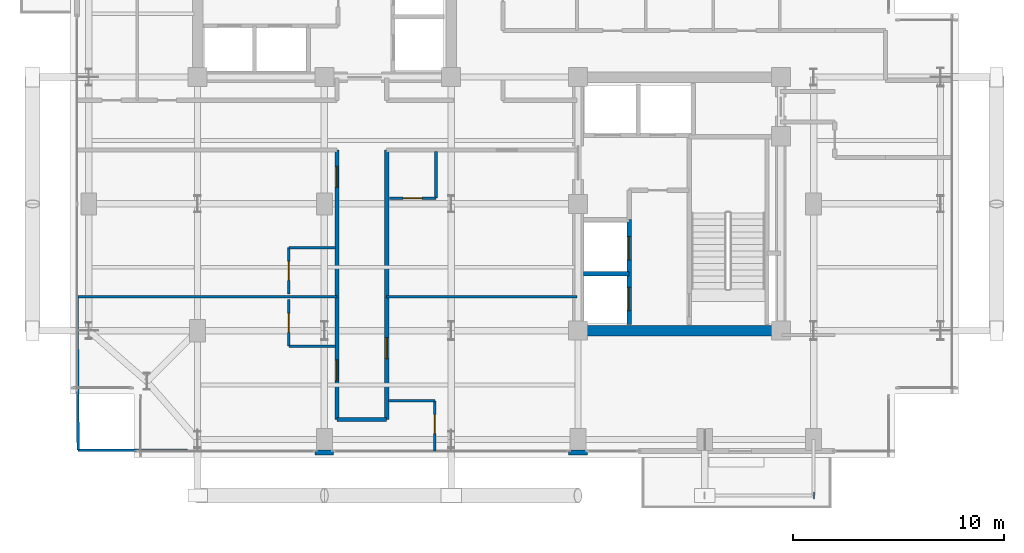
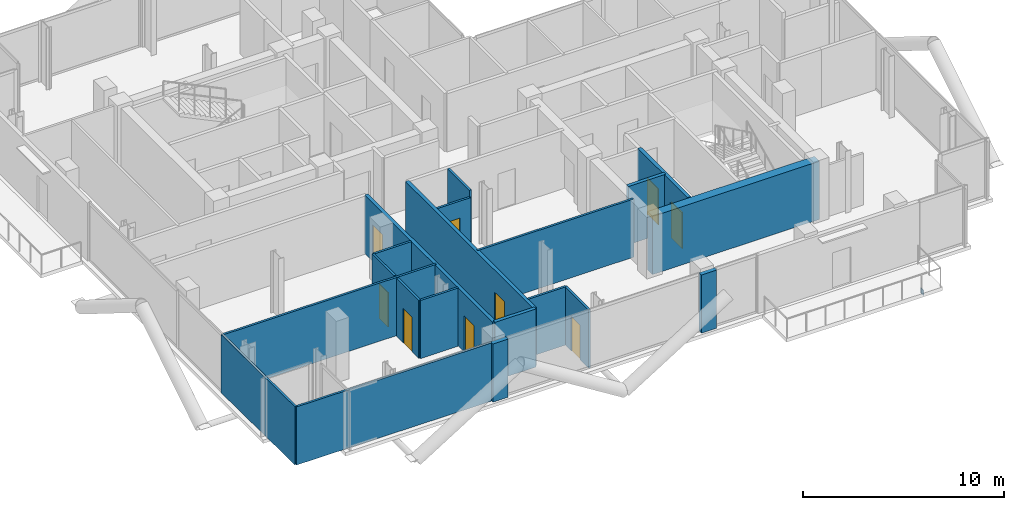
# One storey, part 19 of 25: 20 walls, 9 doors, 1 plate, 9 openings.
"""IFC4 building model written with IfcOpenShell, lengths in metres."""

from ifc_helpers import new_model, si_unit, direction, frame, frame_2d, origin, origin_2d, place, context, subcontext, project, spatial, rectangle, extrude, material, layer, layer_set, type_object, element, fill, save


model = new_model("IFC4")

# Units and contexts
model_context = context("Model", 3, precision=1e-05, world=origin(), true_north=direction((0.0, 1.0)))
body_context = subcontext(model_context, "Body", "Model", "MODEL_VIEW")
ifc_project = project(units=[si_unit("LENGTHUNIT", "METRE"), si_unit("AREAUNIT", "SQUARE_METRE"), si_unit("VOLUMEUNIT", "CUBIC_METRE"), si_unit("PLANEANGLEUNIT", "RADIAN"), si_unit("MASSUNIT", "GRAM", prefix="KILO"), si_unit("THERMODYNAMICTEMPERATUREUNIT", "KELVIN"), si_unit("POWERUNIT", "WATT")], contexts=[model_context])

# Site, building, storey
site_placement = place(None, origin())
site = spatial("IfcSite", under=ifc_project, at=site_placement, CompositionType="ELEMENT")
building_placement = place(site_placement, origin())
building = spatial("IfcBuilding", under=site, at=building_placement, Name="Svarakhadi Broadcast Tower", CompositionType="ELEMENT")
storey_placement = place(building_placement, frame((0.0, 0.0, 212.39990234375)))
storey = spatial("IfcBuildingStorey", under=building, at=storey_placement, Name="L52", CompositionType="ELEMENT", Elevation=212.39990234375)

# Plate
ifc_material_1 = material(Name="Steel S460ML (IS 2062 E450BR)", Category="steel")
ifc_layer_1 = layer(ifc_material_1, 0.028076171875)
ifc_layer_set_1 = layer_set([ifc_layer_1], Name="Steel S460ML (IS 2062 E450BR)")
plate_type = type_object("IfcPlateType", Name="Cap_Plate_CP02", PredefinedType="USERDEFINED", material=ifc_layer_set_1)
plate_placement = place(storey_placement, frame((35.1650390625, -1.800048828125, -0.5048828125), z_axis=(0.0, 0.0, 1.0), x_axis=(1.0, 0.0, 0.0)))
element("IfcPlate", 1, at=plate_placement, inside=storey, type_object=plate_type, Name="L52 Balcony Spandrel End Cap Plate 1F-B", ObjectType="FLANGE_PLATE", PredefinedType="USERDEFINED", context=body_context, shape_type="SweptSolid", body=[
    extrude(rectangle(XDim=0.0400390625, YDim=0.300048828125, at=origin_2d()), origin(), (0.0, 0.0, 1.0), 0.31005859375),
])

# Wall, opening, door
ifc_material_2 = material(Name="Double-Stud Acoustic Studio Partition STC-62", Category="gypsum")
ifc_layer_2 = layer(ifc_material_2, 0.199951171875)
ifc_layer_set_2 = layer_set([ifc_layer_2], Name="Double-Stud Acoustic Studio Partition STC-62")
wall_type_1 = type_object("IfcWallType", Name="Wall_Acoust_200", PredefinedType="PARTITIONING", material=ifc_layer_set_2)
wall_1_placement = place(storey_placement, frame((14.949951171875, 14.550048828125, 0.0), z_axis=(0.0, 0.0, 1.0), x_axis=(0.0, -1.0, 0.0)))
wall_1 = element("IfcWall", 2, at=wall_1_placement, inside=storey, type_object=wall_type_1, Name="L52 Upper Tower Concourse Wall", PredefinedType="PARTITIONING", context=body_context, shape_type="SweptSolid", body=[
    extrude(rectangle(XDim=12.75, YDim=0.199951171875, at=frame_2d((6.375, 0.0))), origin(), (0.0, 0.0, 1.0), 3.5400390625),
])
opening_1_placement = place(wall_1_placement, frame((8.875, 0.0, 0.0)))
opening_1 = element("IfcOpeningElement", 3, at=opening_1_placement, cuts=wall_1, Name="Opening D-09", PredefinedType="OPENING", context=body_context, shape_type="SweptSolid", body=[
    extrude(rectangle(XDim=1.0, YDim=2.199951171875, at=frame_2d((0.5, 1.10009765625))), frame((0.0, 0.10986328125, 0.0), z_axis=(0.0, -1.0, 0.0), x_axis=(1.0, 0.0, 0.0)), (0.0, 0.0, 1.0), 0.219970703125),
])
ifc_material_3 = material(Name="Solid-Core Teak Veneer Acoustic Timber Leaf", Category="wood")
door_type_1 = type_object("IfcDoorType", Name="Door_Suite_D09", OperationType="SINGLE_SWING_RIGHT", PredefinedType="DOOR", material=ifc_material_3)
door_1_placement = place(opening_1_placement, origin())
door_1 = element("IfcDoor", 4, at=door_1_placement, inside=storey, type_object=door_type_1, Name="L52 South Harbour Junior Suite Entrance Door", OperationType="SINGLE_SWING_RIGHT", OverallHeight=2.199951171875, OverallWidth=1.0, PredefinedType="DOOR", context=body_context, shape_type="SweptSolid", body=[
    extrude(rectangle(XDim=1.0, YDim=2.199951171875, at=frame_2d((0.5, 1.10009765625))), frame((0.0, 0.02490234375, 0.0), z_axis=(0.0, -1.0, 0.0), x_axis=(1.0, 0.0, 0.0)), (0.0, 0.0, 1.0), 0.050048828125),
])
fill(opening_1, door_1)

# Wall
wall_2_placement = place(storey_placement, frame((14.949951171875, 1.800048828125, 0.0), z_axis=(0.0, 0.0, 1.0), x_axis=(-1.0, 0.0, 0.0)))
element("IfcWall", 5, at=wall_2_placement, inside=storey, type_object=wall_type_1, Name="L52 Upper Tower Concourse Wall", PredefinedType="PARTITIONING", context=body_context, shape_type="SweptSolid", body=[
    extrude(rectangle(XDim=2.349853515625, YDim=0.199951171875, at=frame_2d((1.1748046875, 0.0))), origin(), (0.0, 0.0, 1.0), 3.5400390625),
])

# Wall, openings, doors
wall_3_placement = place(storey_placement, frame((12.60009765625, 1.800048828125, 0.0), z_axis=(0.0, 0.0, 1.0), x_axis=(0.0, 1.0, 0.0)))
wall_3 = element("IfcWall", 6, at=wall_3_placement, inside=storey, type_object=wall_type_1, Name="L52 Upper Tower Concourse Wall", PredefinedType="PARTITIONING", context=body_context, shape_type="SweptSolid", body=[
    extrude(rectangle(XDim=12.75, YDim=0.199951171875, at=frame_2d((6.375, 0.0))), origin(), (0.0, 0.0, 1.0), 3.5400390625),
])
opening_2_placement = place(wall_3_placement, frame((1.824951171875, 0.0, 0.0)))
opening_2 = element("IfcOpeningElement", 7, at=opening_2_placement, cuts=wall_3, Name="Opening D-08", PredefinedType="OPENING", context=body_context, shape_type="SweptSolid", body=[
    extrude(rectangle(XDim=1.0, YDim=2.199951171875, at=frame_2d((0.5, 1.10009765625))), frame((0.0, 0.10986328125, 0.0), z_axis=(0.0, -1.0, 0.0), x_axis=(1.0, 0.0, 0.0)), (0.0, 0.0, 1.0), 0.219970703125),
])
opening_3_placement = place(wall_3_placement, frame((10.97998046875, 0.0, 0.0)))
opening_3 = element("IfcOpeningElement", 8, at=opening_3_placement, cuts=wall_3, Name="Opening D-09", PredefinedType="OPENING", context=body_context, shape_type="SweptSolid", body=[
    extrude(rectangle(XDim=1.0, YDim=2.199951171875, at=frame_2d((0.5, 1.10009765625))), frame((0.0, 0.10986328125, 0.0), z_axis=(0.0, -1.0, 0.0), x_axis=(1.0, 0.0, 0.0)), (0.0, 0.0, 1.0), 0.219970703125),
])
door_type_2 = type_object("IfcDoorType", Name="Door_Suite_D08", OperationType="SINGLE_SWING_LEFT", PredefinedType="DOOR", material=ifc_material_3)
door_2_placement = place(opening_2_placement, origin())
door_2 = element("IfcDoor", 9, at=door_2_placement, inside=storey, type_object=door_type_2, Name="L52 Presidential Sea-View Corner Suite Entrance Door", OperationType="SINGLE_SWING_LEFT", OverallHeight=2.199951171875, OverallWidth=1.0, PredefinedType="DOOR", context=body_context, shape_type="SweptSolid", body=[
    extrude(rectangle(XDim=1.0, YDim=2.199951171875, at=frame_2d((0.5, 1.10009765625))), frame((0.0, 0.02490234375, 0.0), z_axis=(0.0, -1.0, 0.0), x_axis=(1.0, 0.0, 0.0)), (0.0, 0.0, 1.0), 0.050048828125),
])
fill(opening_2, door_2)
door_3_placement = place(opening_3_placement, origin())
door_3 = element("IfcDoor", 10, at=door_3_placement, inside=storey, type_object=door_type_1, Name="L52 Arabian Sea Executive Guest Suite Entrance Door", OperationType="SINGLE_SWING_RIGHT", OverallHeight=2.199951171875, OverallWidth=1.0, PredefinedType="DOOR", context=body_context, shape_type="SweptSolid", body=[
    extrude(rectangle(XDim=1.0, YDim=2.199951171875, at=frame_2d((0.5, 1.10009765625))), frame((0.0, 0.02490234375, 0.0), z_axis=(0.0, -1.0, 0.0), x_axis=(1.0, 0.0, 0.0)), (0.0, 0.0, 1.0), 0.050048828125),
])
fill(opening_3, door_3)

# Walls
ifc_material_4 = material(Name="Concrete C40/50 (IS 456 M50)", Category="concrete")
ifc_layer_3 = layer(ifc_material_4, 0.239990234375)
ifc_layer_set_3 = layer_set([ifc_layer_3], Name="Concrete C40/50 (IS 456 M50)")
wall_type_2 = type_object("IfcWallType", Name="Wall_Ext_240", PredefinedType="SOLIDWALL", material=ifc_layer_set_3)
for number, where, z_axis, x_axis, name in (
    (11, (24.43994140625, 0.239990234375, 0.0), (0.0, 0.0, 1.0), (-1.0, 0.0, 0.0), "L52 Perimeter Bronze Spandrel Closure Wall 03"),
    (12, (12.43994140625, 0.239990234375, 0.0), (0.0, 0.0, 1.0), (-1.0, 0.0, 0.0), "L52 Perimeter Bronze Spandrel Closure Wall 04"),
):
    element("IfcWall", number, at=place(storey_placement, frame(where, z_axis=z_axis, x_axis=x_axis)), inside=storey, type_object=wall_type_2, Name=name, PredefinedType="SOLIDWALL", context=body_context, shape_type="SweptSolid", body=[
        extrude(rectangle(XDim=0.8798828125, YDim=0.239990234375, at=frame_2d((0.43994140625, 0.0))), origin(), (0.0, 0.0, 1.0), 3.5400390625),
    ])
ifc_material_5 = material(Name="Fire-Rated Moisture-Resistant Gypsum Board Partition", Category="gypsum")
ifc_layer_4 = layer(ifc_material_5, 0.125)
ifc_layer_set_4 = layer_set([ifc_layer_4], Name="Fire-Rated Moisture-Resistant Gypsum Board Partition")
wall_type_3 = type_object("IfcWallType", Name="Wall_Part_125", PredefinedType="PARTITIONING", material=ifc_layer_set_4)
wall_4_placement = place(storey_placement, frame((0.35009765625, 0.35009765625, 0.0), z_axis=(0.0, 0.0, 1.0), x_axis=(0.999991617913, -0.004094398993, 0.0)))
element("IfcWall", 13, at=wall_4_placement, inside=storey, type_object=wall_type_3, Name="L52 Presidential Sea-View Corner Suite Wall", PredefinedType="PARTITIONING", context=body_context, shape_type="SweptSolid", body=[
    extrude(rectangle(XDim=11.2099609375, YDim=0.125, at=frame_2d((5.60498046875, 0.0))), origin(), (0.0, 0.0, 1.0), 3.5400390625),
])
wall_5_placement = place(storey_placement, frame((0.300048828125, 7.60009765625, 0.0), z_axis=(0.0, 0.0, 1.0), x_axis=(1.0, 0.0, 0.0)))
element("IfcWall", 14, at=wall_5_placement, inside=storey, type_object=wall_type_3, Name="L52 Presidential Sea-View Corner Suite Wall", PredefinedType="PARTITIONING", context=body_context, shape_type="SweptSolid", body=[
    extrude(rectangle(XDim=12.300048828125, YDim=0.125, at=frame_2d((6.14990234375, 0.0))), origin(), (0.0, 0.0, 1.0), 3.5400390625),
])
wall_6_placement = place(storey_placement, frame((0.35009765625, 0.35009765625, 0.0), z_axis=(0.0, 0.0, 1.0), x_axis=(-0.006903122154, 0.999976173168, 0.0)))
element("IfcWall", 15, at=wall_6_placement, inside=storey, type_object=wall_type_3, Name="L52 Presidential Sea-View Corner Suite Wall", PredefinedType="PARTITIONING", context=body_context, shape_type="SweptSolid", body=[
    extrude(rectangle(XDim=7.250244140625, YDim=0.125, at=frame_2d((3.625, 0.0))), origin(), (0.0, 0.0, 1.0), 3.5400390625),
])
wall_7_placement = place(storey_placement, frame((10.320068359375, 5.27001953125, 0.0), z_axis=(0.0, 0.0, 1.0), x_axis=(1.0, 0.0, 0.0)))
element("IfcWall", 16, at=wall_7_placement, inside=storey, type_object=wall_type_3, Name="L52 Presidential Sea-View Corner Suite En-Suite Wall", PredefinedType="PARTITIONING", context=body_context, shape_type="SweptSolid", body=[
    extrude(rectangle(XDim=2.199951171875, YDim=0.125, at=frame_2d((1.10009765625, 0.0))), origin(), (0.0, 0.0, 1.0), 3.5400390625),
])

# Wall, opening, door
wall_8_placement = place(storey_placement, frame((10.320068359375, 5.27001953125, 0.0), z_axis=(0.0, 0.0, 1.0), x_axis=(0.0, 1.0, 0.0)))
wall_8 = element("IfcWall", 17, at=wall_8_placement, inside=storey, type_object=wall_type_3, Name="L52 Presidential Sea-View Corner Suite En-Suite Wall", PredefinedType="PARTITIONING", context=body_context, shape_type="SweptSolid", body=[
    extrude(rectangle(XDim=2.199951171875, YDim=0.125, at=frame_2d((1.10009765625, 0.0))), origin(), (0.0, 0.0, 1.0), 3.5400390625),
])
opening_4_placement = place(wall_8_placement, frame((0.64990234375, 0.0, 0.0)))
opening_4 = element("IfcOpeningElement", 18, at=opening_4_placement, cuts=wall_8, Name="Opening D-12", PredefinedType="OPENING", context=body_context, shape_type="SweptSolid", body=[
    extrude(rectangle(XDim=0.89990234375, YDim=2.10009765625, at=frame_2d((0.449951171875, 1.050048828125))), frame((0.0, 0.072509765625, 0.0), z_axis=(0.0, -1.0, 0.0), x_axis=(1.0, 0.0, 0.0)), (0.0, 0.0, 1.0), 0.14501953125),
])
door_type_3 = type_object("IfcDoorType", Name="Door_WC_D01", OperationType="SINGLE_SWING_LEFT", PredefinedType="DOOR", material=ifc_material_3)
door_4_placement = place(opening_4_placement, origin())
door_4 = element("IfcDoor", 19, at=door_4_placement, inside=storey, type_object=door_type_3, Name="L52 Presidential Sea-View Corner Suite En-Suite Door", OperationType="SINGLE_SWING_LEFT", OverallHeight=2.10009765625, OverallWidth=0.89990234375, PredefinedType="DOOR", context=body_context, shape_type="SweptSolid", body=[
    extrude(rectangle(XDim=0.89990234375, YDim=2.10009765625, at=frame_2d((0.449951171875, 1.050048828125))), frame((0.0, 0.02490234375, 0.0), z_axis=(0.0, -1.0, 0.0), x_axis=(1.0, 0.0, 0.0)), (0.0, 0.0, 1.0), 0.050048828125),
])
fill(opening_4, door_4)

# Wall
wall_9_placement = place(storey_placement, frame((10.320068359375, 9.929931640625, 0.0), z_axis=(0.0, 0.0, 1.0), x_axis=(1.0, 0.0, 0.0)))
element("IfcWall", 20, at=wall_9_placement, inside=storey, type_object=wall_type_3, Name="L52 Arabian Sea Executive Guest Suite En-Suite Wall", PredefinedType="PARTITIONING", context=body_context, shape_type="SweptSolid", body=[
    extrude(rectangle(XDim=2.199951171875, YDim=0.125, at=frame_2d((1.10009765625, 0.0))), origin(), (0.0, 0.0, 1.0), 3.5400390625),
])

# Wall, opening, door
wall_10_placement = place(storey_placement, frame((10.320068359375, 7.72998046875, 0.0), z_axis=(0.0, 0.0, 1.0), x_axis=(0.0, 1.0, 0.0)))
wall_10 = element("IfcWall", 21, at=wall_10_placement, inside=storey, type_object=wall_type_3, Name="L52 Arabian Sea Executive Guest Suite En-Suite Wall", PredefinedType="PARTITIONING", context=body_context, shape_type="SweptSolid", body=[
    extrude(rectangle(XDim=2.199951171875, YDim=0.125, at=frame_2d((1.10009765625, 0.0))), origin(), (0.0, 0.0, 1.0), 3.5400390625),
])
opening_5_placement = place(wall_10_placement, frame((0.64990234375, 0.0, 0.0)))
opening_5 = element("IfcOpeningElement", 22, at=opening_5_placement, cuts=wall_10, Name="Opening D-13", PredefinedType="OPENING", context=body_context, shape_type="SweptSolid", body=[
    extrude(rectangle(XDim=0.89990234375, YDim=2.10009765625, at=frame_2d((0.449951171875, 1.050048828125))), frame((0.0, 0.072509765625, 0.0), z_axis=(0.0, -1.0, 0.0), x_axis=(1.0, 0.0, 0.0)), (0.0, 0.0, 1.0), 0.14501953125),
])
door_type_4 = type_object("IfcDoorType", Name="Door_Closet_D13", OperationType="SINGLE_SWING_RIGHT", PredefinedType="DOOR", material=ifc_material_3)
door_5_placement = place(opening_5_placement, origin())
door_5 = element("IfcDoor", 23, at=door_5_placement, inside=storey, type_object=door_type_4, Name="L52 Arabian Sea Executive Guest Suite En-Suite Door", OperationType="SINGLE_SWING_RIGHT", OverallHeight=2.10009765625, OverallWidth=0.89990234375, PredefinedType="DOOR", context=body_context, shape_type="SweptSolid", body=[
    extrude(rectangle(XDim=0.89990234375, YDim=2.10009765625, at=frame_2d((0.449951171875, 1.050048828125))), frame((0.0, 0.02490234375, 0.0), z_axis=(0.0, -1.0, 0.0), x_axis=(1.0, 0.0, 0.0)), (0.0, 0.0, 1.0), 0.050048828125),
])
fill(opening_5, door_5)

# Walls
wall_11_placement = place(storey_placement, frame((14.949951171875, 7.60009765625, 0.0), z_axis=(0.0, 0.0, 1.0), x_axis=(1.0, 0.0, 0.0)))
element("IfcWall", 24, at=wall_11_placement, inside=storey, type_object=wall_type_3, Name="L52 South Harbour Junior Suite Wall", PredefinedType="PARTITIONING", context=body_context, shape_type="SweptSolid", body=[
    extrude(rectangle(XDim=9.0, YDim=0.125, at=frame_2d((4.5, 0.0))), origin(), (0.0, 0.0, 1.0), 3.5400390625),
])
wall_12_placement = place(storey_placement, frame((15.030029296875, 2.679931640625, 0.0), z_axis=(0.0, 0.0, 1.0), x_axis=(1.0, 0.0, 0.0)))
element("IfcWall", 25, at=wall_12_placement, inside=storey, type_object=wall_type_3, Name="L52 South Harbour Junior Suite En-Suite Wall", PredefinedType="PARTITIONING", context=body_context, shape_type="SweptSolid", body=[
    extrude(rectangle(XDim=2.199951171875, YDim=0.125, at=frame_2d((1.10009765625, 0.0))), origin(), (0.0, 0.0, 1.0), 3.5400390625),
])

# Wall, opening, door
wall_13_placement = place(storey_placement, frame((17.22998046875, 0.300048828125, 0.0), z_axis=(0.0, 0.0, 1.0), x_axis=(0.0, 1.0, 0.0)))
wall_13 = element("IfcWall", 26, at=wall_13_placement, inside=storey, type_object=wall_type_3, Name="L52 South Harbour Junior Suite En-Suite Wall", PredefinedType="PARTITIONING", context=body_context, shape_type="SweptSolid", body=[
    extrude(rectangle(XDim=2.3798828125, YDim=0.125, at=frame_2d((1.18994140625, 0.0))), origin(), (0.0, 0.0, 1.0), 3.5400390625),
])
opening_6_placement = place(wall_13_placement, frame((0.830078125, 0.0, 0.0)))
opening_6 = element("IfcOpeningElement", 27, at=opening_6_placement, cuts=wall_13, Name="Opening D-13", PredefinedType="OPENING", context=body_context, shape_type="SweptSolid", body=[
    extrude(rectangle(XDim=0.89990234375, YDim=2.10009765625, at=frame_2d((0.449951171875, 1.050048828125))), frame((0.0, 0.072509765625, 0.0), z_axis=(0.0, -1.0, 0.0), x_axis=(1.0, 0.0, 0.0)), (0.0, 0.0, 1.0), 0.14501953125),
])
door_6_placement = place(opening_6_placement, origin())
door_6 = element("IfcDoor", 28, at=door_6_placement, inside=storey, type_object=door_type_4, Name="L52 South Harbour Junior Suite En-Suite Door", OperationType="SINGLE_SWING_RIGHT", OverallHeight=2.10009765625, OverallWidth=0.89990234375, PredefinedType="DOOR", context=body_context, shape_type="SweptSolid", body=[
    extrude(rectangle(XDim=0.89990234375, YDim=2.10009765625, at=frame_2d((0.449951171875, 1.050048828125))), frame((0.0, 0.02490234375, 0.0), z_axis=(0.0, -1.0, 0.0), x_axis=(1.0, 0.0, 0.0)), (0.0, 0.0, 1.0), 0.050048828125),
])
fill(opening_6, door_6)

wall_14_placement = place(storey_placement, frame((15.080078125, 12.27001953125, 0.0), z_axis=(0.0, 0.0, 1.0), x_axis=(1.0, 0.0, 0.0)))
wall_14 = element("IfcWall", 29, at=wall_14_placement, inside=storey, type_object=wall_type_3, Name="L52 Deluxe Harbour Guest Room En-Suite Wall", PredefinedType="PARTITIONING", context=body_context, shape_type="SweptSolid", body=[
    extrude(rectangle(XDim=2.199951171875, YDim=0.125, at=frame_2d((1.10009765625, 0.0))), origin(), (0.0, 0.0, 1.0), 3.132080078125),
])
opening_7_placement = place(wall_14_placement, frame((0.64990234375, 0.0, 0.0)))
opening_7 = element("IfcOpeningElement", 30, at=opening_7_placement, cuts=wall_14, Name="Opening D-12", PredefinedType="OPENING", context=body_context, shape_type="SweptSolid", body=[
    extrude(rectangle(XDim=0.89990234375, YDim=2.10009765625, at=frame_2d((0.449951171875, 1.050048828125))), frame((0.0, 0.072509765625, 0.0), z_axis=(0.0, -1.0, 0.0), x_axis=(1.0, 0.0, 0.0)), (0.0, 0.0, 1.0), 0.14501953125),
])
door_7_placement = place(opening_7_placement, origin())
door_7 = element("IfcDoor", 31, at=door_7_placement, inside=storey, type_object=door_type_3, Name="L52 Deluxe Harbour Guest Room En-Suite Door", OperationType="SINGLE_SWING_LEFT", OverallHeight=2.10009765625, OverallWidth=0.89990234375, PredefinedType="DOOR", context=body_context, shape_type="SweptSolid", body=[
    extrude(rectangle(XDim=0.89990234375, YDim=2.10009765625, at=frame_2d((0.449951171875, 1.050048828125))), frame((0.0, 0.02490234375, 0.0), z_axis=(0.0, -1.0, 0.0), x_axis=(1.0, 0.0, 0.0)), (0.0, 0.0, 1.0), 0.050048828125),
])
fill(opening_7, door_7)

# Wall
wall_15_placement = place(storey_placement, frame((17.280029296875, 12.27001953125, 0.0), z_axis=(0.0, 0.0, 1.0), x_axis=(0.0, 1.0, 0.0)))
element("IfcWall", 32, at=wall_15_placement, inside=storey, type_object=wall_type_3, Name="L52 Deluxe Harbour Guest Room En-Suite Wall", PredefinedType="PARTITIONING", context=body_context, shape_type="SweptSolid", body=[
    extrude(rectangle(XDim=2.199951171875, YDim=0.125, at=frame_2d((1.10009765625, 0.0))), origin(), (0.0, 0.0, 1.0), 3.5400390625),
])

# Wall, openings, doors
ifc_material_6 = material(Name="Concrete C50/60 (IS 456 M60)", Category="concrete")
ifc_layer_5 = layer(ifc_material_6, 0.199951171875)
ifc_layer_set_5 = layer_set([ifc_layer_5], Name="Concrete C50/60 (IS 456 M60)")
wall_type_4 = type_object("IfcWallType", Name="Wall_Shear_200", PredefinedType="SHEAR", material=ifc_layer_set_5)
wall_16_placement = place(storey_placement, frame((26.419921875, 6.300048828125, 0.0), z_axis=(0.0, 0.0, 1.0), x_axis=(0.0, 1.0, 0.0)))
wall_16 = element("IfcWall", 33, at=wall_16_placement, inside=storey, type_object=wall_type_4, Name="L52 Firefighting Lift LF-03/04 Shaft Wall", PredefinedType="SHEAR", context=body_context, shape_type="SweptSolid", body=[
    extrude(rectangle(XDim=4.949951171875, YDim=0.199951171875, at=frame_2d((2.47509765625, 0.0))), origin(), (0.0, 0.0, 1.0), 3.5400390625),
])
opening_8_placement = place(wall_16_placement, frame((0.64990234375, 0.0, 0.0)))
opening_8 = element("IfcOpeningElement", 34, at=opening_8_placement, cuts=wall_16, Name="Opening LD-01", PredefinedType="OPENING", context=body_context, shape_type="SweptSolid", body=[
    extrude(rectangle(XDim=1.10009765625, YDim=2.199951171875, at=frame_2d((0.550048828125, 1.10009765625))), frame((0.0, 0.10986328125, 0.0), z_axis=(0.0, -1.0, 0.0), x_axis=(1.0, 0.0, 0.0)), (0.0, 0.0, 1.0), 0.219970703125),
])
opening_9_placement = place(wall_16_placement, frame((3.050048828125, 0.0, 0.0)))
opening_9 = element("IfcOpeningElement", 35, at=opening_9_placement, cuts=wall_16, Name="Opening LD-01", PredefinedType="OPENING", context=body_context, shape_type="SweptSolid", body=[
    extrude(rectangle(XDim=1.10009765625, YDim=2.199951171875, at=frame_2d((0.550048828125, 1.10009765625))), frame((0.0, 0.10986328125, 0.0), z_axis=(0.0, -1.0, 0.0), x_axis=(1.0, 0.0, 0.0)), (0.0, 0.0, 1.0), 0.219970703125),
])
ifc_material_7 = material(Name="Galvanised Powder-Coated Fire-Rated Steel Leaf", Category="steel")
door_type_5 = type_object("IfcDoorType", Name="Door_Lift_LD01", OperationType="SLIDING_TO_LEFT", PredefinedType="DOOR", material=ifc_material_7)
door_8_placement = place(opening_8_placement, origin())
door_8 = element("IfcDoor", 36, at=door_8_placement, inside=storey, type_object=door_type_5, Name="L52 Firefighting Lift LF-03 Landing Door", OperationType="SLIDING_TO_LEFT", OverallHeight=2.199951171875, OverallWidth=1.10009765625, PredefinedType="DOOR", context=body_context, shape_type="SweptSolid", body=[
    extrude(rectangle(XDim=1.10009765625, YDim=2.199951171875, at=frame_2d((0.550048828125, 1.10009765625))), frame((0.0, 0.02490234375, 0.0), z_axis=(0.0, -1.0, 0.0), x_axis=(1.0, 0.0, 0.0)), (0.0, 0.0, 1.0), 0.050048828125),
])
fill(opening_8, door_8)
door_9_placement = place(opening_9_placement, origin())
door_9 = element("IfcDoor", 37, at=door_9_placement, inside=storey, type_object=door_type_5, Name="L52 Firefighting Lift LF-04 Landing Door", OperationType="SLIDING_TO_LEFT", OverallHeight=2.199951171875, OverallWidth=1.10009765625, PredefinedType="DOOR", context=body_context, shape_type="SweptSolid", body=[
    extrude(rectangle(XDim=1.10009765625, YDim=2.199951171875, at=frame_2d((0.550048828125, 1.10009765625))), frame((0.0, 0.02490234375, 0.0), z_axis=(0.0, -1.0, 0.0), x_axis=(1.0, 0.0, 0.0)), (0.0, 0.0, 1.0), 0.050048828125),
])
fill(opening_9, door_9)

# Walls
wall_17_placement = place(storey_placement, frame((24.25, 8.699951171875, 0.0), z_axis=(0.0, 0.0, 1.0), x_axis=(1.0, 0.0, 0.0)))
element("IfcWall", 38, at=wall_17_placement, inside=storey, type_object=wall_type_4, Name="L52 Firefighting Lift LF-03/04 Divider Wall", PredefinedType="SHEAR", context=body_context, shape_type="SweptSolid", body=[
    extrude(rectangle(XDim=2.169921875, YDim=0.199951171875, at=frame_2d((1.0849609375, 0.0))), origin(), (0.0, 0.0, 1.0), 3.5400390625),
])
ifc_layer_6 = layer(ifc_material_6, 0.5)
ifc_layer_set_6 = layer_set([ifc_layer_6], Name="Concrete C50/60 (IS 456 M60)")
wall_type_5 = type_object("IfcWallType", Name="Wall_Shear_500", PredefinedType="SHEAR", material=ifc_layer_set_6)
wall_18_placement = place(storey_placement, frame((24.0, 6.0, 0.0), z_axis=(0.0, 0.0, 1.0), x_axis=(1.0, 0.0, 0.0)))
element("IfcWall", 39, at=wall_18_placement, inside=storey, type_object=wall_type_5, Name="L52 East Core South Shear Wall", PredefinedType="SHEAR", context=body_context, shape_type="SweptSolid", body=[
    extrude(rectangle(XDim=9.60009765625, YDim=0.5, at=frame_2d((4.800048828125, 0.0))), origin(), (0.0, 0.0, 1.0), 3.5400390625),
])

save(model, "model.ifc")
